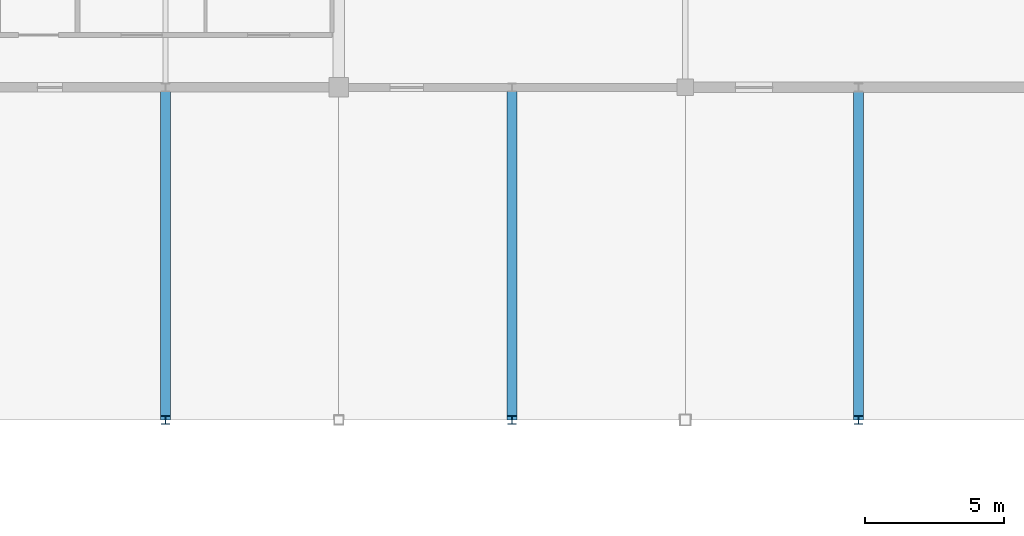
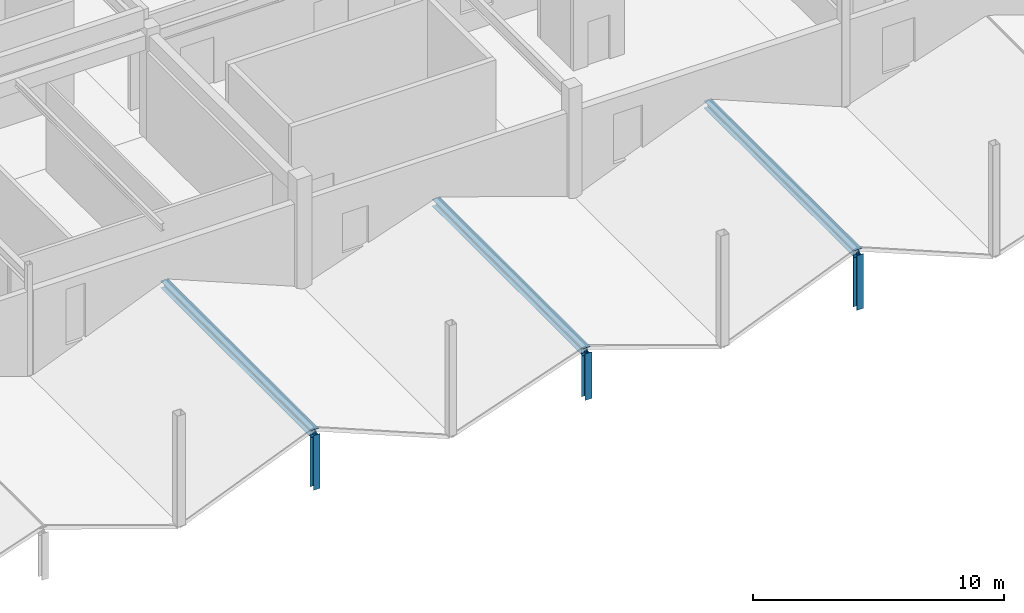
# One storey, part 35 of 76: 6 members.
"""IFC4 building model written with IfcOpenShell, lengths in metres."""

from ifc_helpers import new_model, si_unit, direction, frame, origin, origin_2d, place, context, subcontext, project, spatial, i_section, extrude, material, material_profile, profile_set, type_object, element, save


model = new_model("IFC4")

# Units and contexts
model_context = context("Model", 3, precision=1e-05, world=origin(), true_north=direction((0.0, 1.0)))
body_context = subcontext(model_context, "Body", "Model", "MODEL_VIEW")
ifc_project = project(units=[si_unit("LENGTHUNIT", "METRE"), si_unit("AREAUNIT", "SQUARE_METRE"), si_unit("VOLUMEUNIT", "CUBIC_METRE"), si_unit("PLANEANGLEUNIT", "RADIAN"), si_unit("MASSUNIT", "GRAM", prefix="KILO")], contexts=[model_context])

# Site, building, storey
site_placement = place(None, origin())
site = spatial("IfcSite", under=ifc_project, at=site_placement, CompositionType="ELEMENT")
building_placement = place(site_placement, origin())
building = spatial("IfcBuilding", under=site, at=building_placement, Name="Kazenohara Klinker Stadium", CompositionType="ELEMENT")
storey_placement = place(building_placement, frame((0.0, 0.0, 25.800048828125)))
storey = spatial("IfcBuildingStorey", under=building, at=storey_placement, Name="L05", CompositionType="ELEMENT", Elevation=25.800048828125)

# Members
ifc_material = material(Name="Steel S355", Category="steel")
ifc_material_profile_1 = material_profile(ifc_material, i_section(OverallWidth=0.35009765625, OverallDepth=0.35009765625, WebThickness=0.011962890625, FlangeThickness=0.01904296875, FilletRadius=0.012939453125, at=origin_2d()), Name="H-350x350x12x19")
ifc_profile_set_1 = profile_set([ifc_material_profile_1], Name="Steel S355")
member_type_1 = type_object("IfcMemberType", Name="MEM-CHD02", PredefinedType="CHORD", material=ifc_profile_set_1)
for number, where, z_axis, x_axis, name in (
    (1, (67.75, 132.0, 2.22998046875), (0.0, 1.0, 0.0), (-1.0, 0.0, 0.0), "Stepped pavilion gable ridge beam L05 6/M"),
    (2, (80.25, 132.0, 1.829833984375), (0.0, 1.0, 0.0), (-1.0, 0.0, 0.0), "Stepped pavilion gable ridge beam L05 7/M"),
    (3, (92.75, 132.0, 2.22998046875), (0.0, 1.0, 0.0), (-1.0, 0.0, 0.0), "Stepped pavilion gable ridge beam L05 8/M"),
):
    element("IfcMember", number, at=place(storey_placement, frame(where, z_axis=z_axis, x_axis=x_axis)), inside=storey, type_object=member_type_1, Name=name, PredefinedType="CHORD", context=body_context, shape_type="SweptSolid", body=[
        extrude(i_section(OverallWidth=0.35009765625, OverallDepth=0.35009765625, WebThickness=0.011962890625, FlangeThickness=0.01904296875, FilletRadius=0.012939453125, at=origin_2d()), origin(), (0.0, 0.0, 1.0), 12.0),
    ])
ifc_material_profile_2 = material_profile(ifc_material, i_section(OverallWidth=0.300048828125, OverallDepth=0.300048828125, WebThickness=0.010009765625, FlangeThickness=0.014892578125, FilletRadius=0.012939453125, at=origin_2d()), Name="H-300x300x10x15")
ifc_profile_set_2 = profile_set([ifc_material_profile_2], Name="Steel S355")
member_type_2 = type_object("IfcMemberType", Name="MEM-STR01", PredefinedType="STRUT", material=ifc_profile_set_2)
member_1_placement = place(storey_placement, frame((67.75, 132.0, -0.429931640625), z_axis=(0.0, 0.0, 1.0), x_axis=(1.0, 0.0, 0.0)))
element("IfcMember", 4, at=member_1_placement, inside=storey, type_object=member_type_2, Name="Stepped pavilion gable king-post L05 6/M S", PredefinedType="STRUT", context=body_context, shape_type="SweptSolid", body=[
    extrude(i_section(OverallWidth=0.300048828125, OverallDepth=0.300048828125, WebThickness=0.010009765625, FlangeThickness=0.014892578125, FilletRadius=0.012939453125, at=origin_2d()), origin(), (0.0, 0.0, 1.0), 2.659912109375),
])
member_2_placement = place(storey_placement, frame((80.25, 132.0, -0.429931640625), z_axis=(0.0, 0.0, 1.0), x_axis=(1.0, 0.0, 0.0)))
element("IfcMember", 5, at=member_2_placement, inside=storey, type_object=member_type_2, Name="Stepped pavilion gable king-post L05 7/M S", PredefinedType="STRUT", context=body_context, shape_type="SweptSolid", body=[
    extrude(i_section(OverallWidth=0.300048828125, OverallDepth=0.300048828125, WebThickness=0.010009765625, FlangeThickness=0.014892578125, FilletRadius=0.012939453125, at=origin_2d()), origin(), (0.0, 0.0, 1.0), 2.259765625),
])
member_3_placement = place(storey_placement, frame((92.75, 132.0, -0.429931640625), z_axis=(0.0, 0.0, 1.0), x_axis=(1.0, 0.0, 0.0)))
element("IfcMember", 6, at=member_3_placement, inside=storey, type_object=member_type_2, Name="Stepped pavilion gable king-post L05 8/M S", PredefinedType="STRUT", context=body_context, shape_type="SweptSolid", body=[
    extrude(i_section(OverallWidth=0.300048828125, OverallDepth=0.300048828125, WebThickness=0.010009765625, FlangeThickness=0.014892578125, FilletRadius=0.012939453125, at=origin_2d()), origin(), (0.0, 0.0, 1.0), 2.659912109375),
])

save(model, "model.ifc")
